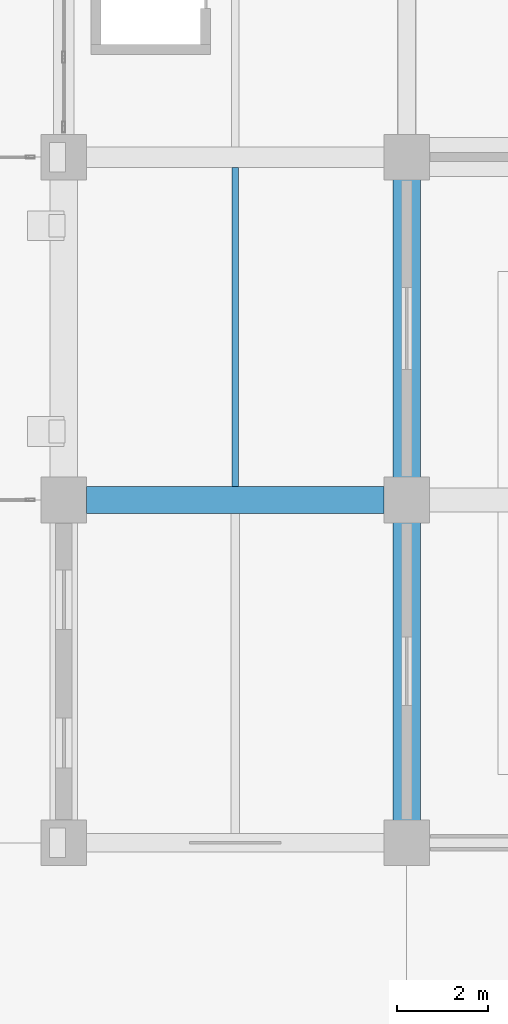
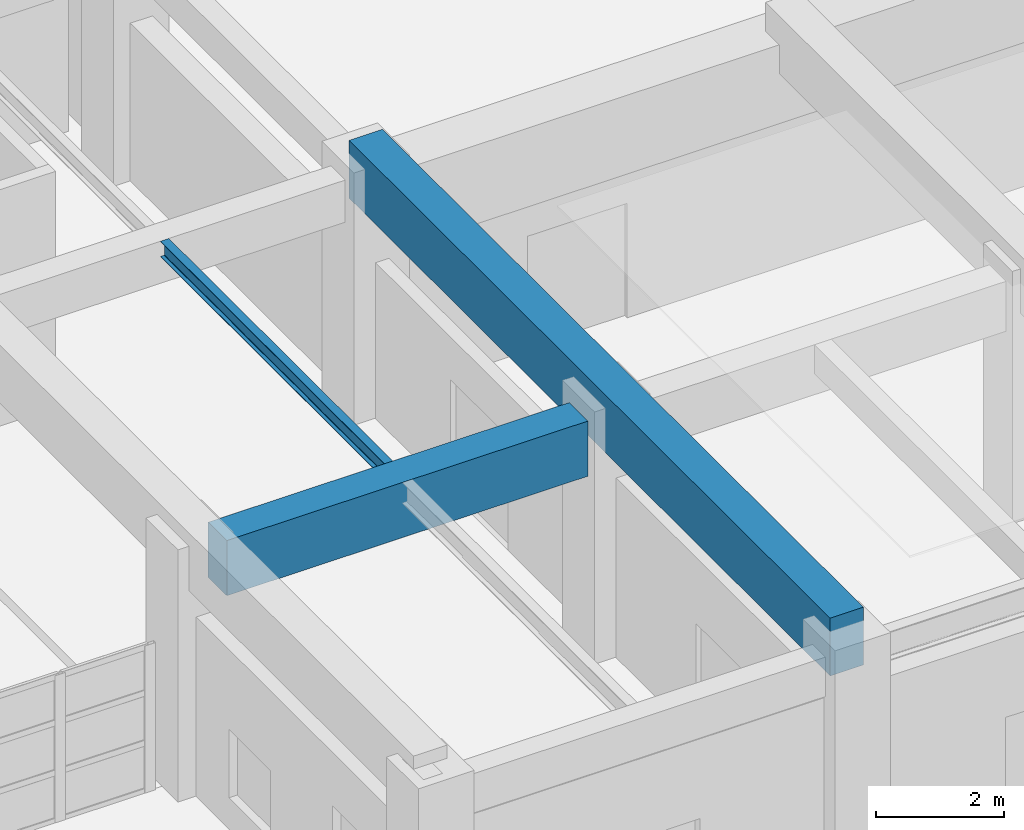
# One storey, part 19 of 122: 3 beams.
"""IFC4 building model written with IfcOpenShell, lengths in metres."""

from ifc_helpers import new_model, si_unit, direction, frame, origin, origin_2d, place, context, subcontext, project, spatial, rectangle, i_section, extrude, material, material_profile, profile_set, type_object, element, save


model = new_model("IFC4")

# Units and contexts
model_context = context("Model", 3, precision=1e-05, world=origin(), true_north=direction((0.0, 1.0)))
body_context = subcontext(model_context, "Body", "Model", "MODEL_VIEW")
ifc_project = project(units=[si_unit("LENGTHUNIT", "METRE"), si_unit("AREAUNIT", "SQUARE_METRE"), si_unit("VOLUMEUNIT", "CUBIC_METRE"), si_unit("PLANEANGLEUNIT", "RADIAN"), si_unit("MASSUNIT", "GRAM", prefix="KILO")], contexts=[model_context])

# Site, building, storey
site_placement = place(None, origin())
site = spatial("IfcSite", under=ifc_project, at=site_placement, CompositionType="ELEMENT")
building_placement = place(site_placement, origin())
building = spatial("IfcBuilding", under=site, at=building_placement, Name="Qasida Concert Hall", CompositionType="ELEMENT")
storey_placement = place(building_placement, origin())
storey = spatial("IfcBuildingStorey", under=building, at=storey_placement, Name="L00", CompositionType="ELEMENT", Elevation=0.0)

# Beams
ifc_material_1 = material(Name="Concrete C50/60", Category="concrete")
ifc_material_profile_1 = material_profile(ifc_material_1, rectangle(XDim=0.60009765625, YDim=1.10009765625, at=origin_2d()), Name="RC 600x1100")
ifc_profile_set_1 = profile_set([ifc_material_profile_1], Name="Concrete C50/60")
beam_type_1 = type_object("IfcBeamType", Name="BM-G4", PredefinedType="USERDEFINED", material=ifc_profile_set_1)
beam_1_placement = place(storey_placement, frame((60.0, 22.5, 4.5), z_axis=(0.0, 1.0, 0.0), x_axis=(-1.0, 0.0, 0.0)))
element("IfcBeam", 1, at=beam_1_placement, inside=storey, type_object=beam_type_1, Name="Entrance soffit backspan girder CGRKB-600", ObjectType="GIRDER", PredefinedType="USERDEFINED", context=body_context, shape_type="SweptSolid", body=[
    extrude(rectangle(XDim=0.60009765625, YDim=1.10009765625, at=origin_2d()), origin(), (0.0, 0.0, 1.0), 15.0),
])
ifc_material_profile_2 = material_profile(ifc_material_1, rectangle(XDim=0.580078125, YDim=1.050048828125, at=origin_2d()), Name="RC 580x1050")
ifc_profile_set_2 = profile_set([ifc_material_profile_2], Name="Concrete C50/60")
beam_type_2 = type_object("IfcBeamType", Name="BM-G8", PredefinedType="USERDEFINED", material=ifc_profile_set_2)
beam_2_placement = place(storey_placement, frame((53.0, 30.0, 3.97509765625), z_axis=(1.0, 0.0, 0.0), x_axis=(0.0, 1.0, 0.0)))
element("IfcBeam", 2, at=beam_2_placement, inside=storey, type_object=beam_type_2, Name="Primary girder 0358", ObjectType="GIRDER", PredefinedType="USERDEFINED", context=body_context, shape_type="SweptSolid", body=[
    extrude(rectangle(XDim=0.580078125, YDim=1.050048828125, at=origin_2d()), origin(), (0.0, 0.0, 1.0), 6.5),
])
ifc_material_2 = material(Name="Steel S355J2", Category="steel")
ifc_material_profile_3 = material_profile(ifc_material_2, i_section(OverallWidth=0.14990234375, OverallDepth=0.300048828125, WebThickness=0.007080078125, FlangeThickness=0.0107421875, FilletRadius=0.014892578125, at=origin_2d()), Name="IPE 300")
ifc_profile_set_3 = profile_set([ifc_material_profile_3], Name="Steel S355J2")
beam_type_3 = type_object("IfcBeamType", Name="BM-J4", PredefinedType="JOIST", material=ifc_profile_set_3)
beam_3_placement = place(storey_placement, frame((56.25, 30.2900390625, 4.35009765625), z_axis=(0.0, 1.0, 0.0), x_axis=(-1.0, 0.0, 0.0)))
element("IfcBeam", 3, at=beam_3_placement, inside=storey, type_object=beam_type_3, Name="L00 secondary joist 0443", PredefinedType="JOIST", context=body_context, shape_type="SweptSolid", body=[
    extrude(i_section(OverallWidth=0.14990234375, OverallDepth=0.300048828125, WebThickness=0.007080078125, FlangeThickness=0.0107421875, FilletRadius=0.014892578125, at=origin_2d()), origin(), (0.0, 0.0, 1.0), 6.98486328125),
])

save(model, "model.ifc")
